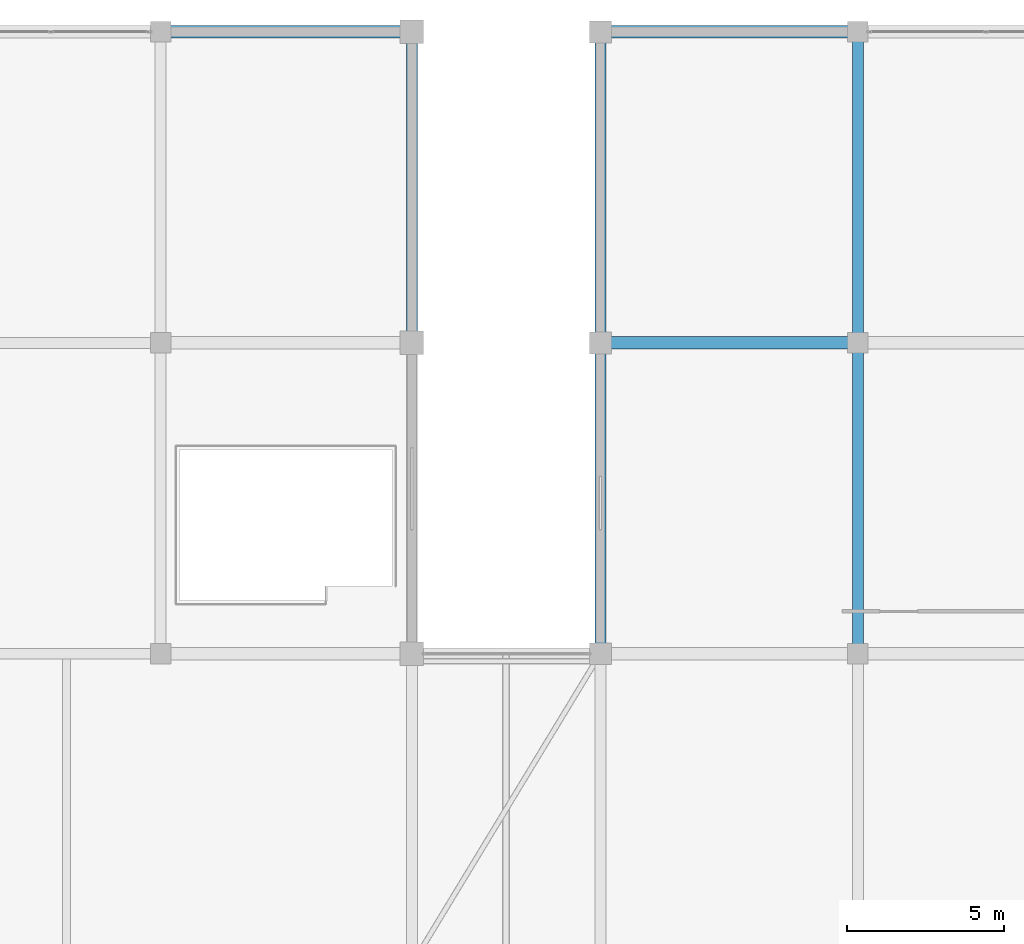
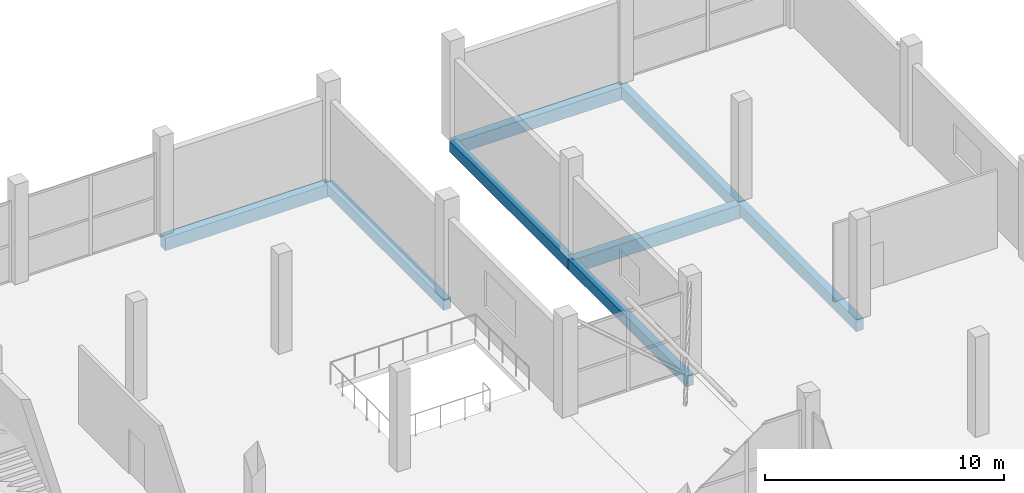
# One storey, part 44 of 67: 8 beams.
"""IFC4 building model written with IfcOpenShell, lengths in metres."""

import ifcopenshell
import ifcopenshell.guid

model = None  # the IFC model being written
_history = None  # IfcOwnerHistory: only IFC2X3 demands one
_inside = {}  # id of a spatial element -> (the spatial element, [elements in it])
_under = {}  # id of a project, library or spatial element -> (it, [spatial elements below it])
_declared = {}  # id of a project -> (the project, [libraries it declares])
_typed = {}  # id of a type object -> (the type object, [elements of that type])
_made_of = {}  # id of a material, layer set ... -> (it, [elements and type objects made of it])


def new_model(schema):
    """Start an empty IFC model of exactly this schema.

    Asked for "IFC4X3", IfcOpenShell would pick the latest addendum, in which some entities
    have other attributes; the version numbers below select the first issue.
    IFC2X3 requires an IfcOwnerHistory on every rooted entity: one is made here for all.
    """
    global model, _history
    if schema == "IFC4X3":
        model = ifcopenshell.file(schema_version=(4, 3, 0, 0))
    else:
        model = ifcopenshell.file(schema=schema)
    _inside.clear()
    _under.clear()
    _declared.clear()
    _typed.clear()
    _made_of.clear()
    _history = None
    if model.schema == "IFC2X3":
        org = make("IfcOrganization", Name="unknown")
        user = make(
            "IfcPersonAndOrganization",
            ThePerson=make("IfcPerson", FamilyName="unknown"),
            TheOrganization=org,
        )
        app = make(
            "IfcApplication",
            ApplicationDeveloper=org,
            Version="unknown",
            ApplicationFullName="unknown",
            ApplicationIdentifier="unknown",
        )
        _history = make(
            "IfcOwnerHistory",
            OwningUser=user,
            OwningApplication=app,
            ChangeAction="ADDED",
            CreationDate=0,
        )
    return model


def make(cls, **values):
    """One entity of the class cls with the attributes given. An attribute that is None is left unset."""
    return model.create_entity(
        cls, **{name: value for name, value in values.items() if value is not None}
    )


def rooted(cls, **values):
    """An entity with a GlobalId (a new one), such as an element, a storey or a relation."""
    return make(cls, GlobalId=ifcopenshell.guid.new(), OwnerHistory=_history, **values)


def si_unit(unit_type, name, prefix=None):
    """IfcSIUnit, for example si_unit("LENGTHUNIT", "METRE", prefix="MILLI")."""
    return make("IfcSIUnit", UnitType=unit_type, Prefix=prefix, Name=name)


def assignment(units):
    """IfcUnitAssignment: the units of a project."""
    return None if units is None else make("IfcUnitAssignment", Units=units)


def point(xyz):
    """IfcCartesianPoint."""
    return None if xyz is None else make("IfcCartesianPoint", Coordinates=xyz)


def direction(xyz):
    """IfcDirection."""
    return None if xyz is None else make("IfcDirection", DirectionRatios=xyz)


def frame(location, z_axis=None, x_axis=None):
    """IfcAxis2Placement3D, a coordinate frame: its origin and axes. An axis left out is left unset."""
    return make(
        "IfcAxis2Placement3D",
        Location=point(location),
        Axis=direction(z_axis),
        RefDirection=direction(x_axis),
    )


def frame_2d(location, x_axis=None):
    """IfcAxis2Placement2D, a coordinate frame in the plane: its origin and x axis."""
    return make(
        "IfcAxis2Placement2D", Location=point(location), RefDirection=direction(x_axis)
    )


def origin():
    """The frame at (0, 0, 0) with its axes left unset."""
    return frame((0.0, 0.0, 0.0))


def origin_2d():
    """The frame at (0, 0) in the plane with its x axis left unset."""
    return frame_2d((0.0, 0.0))


def place(relative_to, where):
    """IfcLocalPlacement: puts the frame where relative to a parent placement (None: the world)."""
    return make(
        "IfcLocalPlacement", PlacementRelTo=relative_to, RelativePlacement=where
    )


def context(
    kind, dimensions, precision=None, world=None, true_north=None, identifier=None
):
    """IfcGeometricRepresentationContext, for example the 3D "Model" context."""
    return make(
        "IfcGeometricRepresentationContext",
        ContextIdentifier=identifier,
        ContextType=kind,
        CoordinateSpaceDimension=dimensions,
        Precision=precision,
        WorldCoordinateSystem=world,
        TrueNorth=true_north,
    )


def subcontext(parent, identifier, kind, view, scale=None):
    """IfcGeometricRepresentationSubContext, for example "Body" below "Model"."""
    return make(
        "IfcGeometricRepresentationSubContext",
        ContextIdentifier=identifier,
        ContextType=kind,
        ParentContext=parent,
        TargetScale=scale,
        TargetView=view,
    )


def project(units=None, contexts=None):
    """IfcProject with its units and contexts."""
    return rooted(
        "IfcProject",
        Name="project",
        RepresentationContexts=contexts,
        UnitsInContext=assignment(units),
    )


def spatial(cls, under=None, at=None, **own):
    """A site, building, storey or space (cls), placed at a placement, below another one or the project."""
    s = rooted(cls, ObjectPlacement=at, **own)
    if under is not None:
        _under.setdefault(under.id(), (under, []))[1].append(s)
    return s


def profile(cls, at=None, kind="AREA", **sizes):
    """A parametric profile (cls). Its sizes go by their IFC names, for example OverallWidth=200.0."""
    return make(cls, ProfileType=kind, Position=at, **sizes)


def rectangle(**sizes):
    """IfcRectangleProfileDef."""
    return profile("IfcRectangleProfileDef", **sizes)


def extrude(swept, where, along, depth):
    """IfcExtrudedAreaSolid: the profile swept, set in the frame where, extruded along a direction by depth."""
    return make(
        "IfcExtrudedAreaSolid",
        SweptArea=swept,
        Position=where,
        ExtrudedDirection=direction(along),
        Depth=depth,
    )


def shape(context_of_items, identifier, shape_type, items):
    """IfcShapeRepresentation: the items that make up one representation, for example the "Body"."""
    return make(
        "IfcShapeRepresentation",
        ContextOfItems=context_of_items,
        RepresentationIdentifier=identifier,
        RepresentationType=shape_type,
        Items=items,
    )


def material(Name=None, Category=None):
    """IfcMaterial."""
    return make("IfcMaterial", Name=Name, Category=Category)


def material_profile(
    of_material, cross_section, Name=None, Category=None, Priority=None
):
    """IfcMaterialProfile: a cross section and its material."""
    return make(
        "IfcMaterialProfile",
        Name=Name,
        Material=of_material,
        Profile=cross_section,
        Priority=Priority,
        Category=Category,
    )


def profile_set(profiles, Name=None, composite=None):
    """IfcMaterialProfileSet."""
    return make(
        "IfcMaterialProfileSet",
        Name=Name,
        MaterialProfiles=profiles,
        CompositeProfile=composite,
    )


def made_of(thing, what):
    """Note that an element or type object is made of a material, layer set ...; save() writes the relation."""
    if what is not None:
        _made_of.setdefault(what.id(), (what, []))[1].append(thing)
    return thing


def type_object(cls, material=None, **own):
    """A type object (cls), such as IfcWallType, which elements share."""
    return made_of(rooted(cls, **own), material)


def element(
    cls,
    number,
    at=None,
    inside=None,
    cuts=None,
    type_object=None,
    material=None,
    context=None,
    identifier="Body",
    shape_type=None,
    held_by="IfcProductDefinitionShape",
    body=None,
    shapes=None,
    **own,
):
    """One element of the class cls, such as IfcWall. Its Tag is "e" and its number.

    at: its placement. inside: the storey or other place that contains it. cuts: it is an
    opening in that element (IfcRelVoidsElement). A single representation is given by context,
    identifier, shape_type and body (its items); several are given by shapes. held_by: the class
    of the entity that holds the representations. save() writes the other relations.
    """
    e = rooted(cls, Tag="e%d" % number, ObjectPlacement=at, **own)
    if body is not None:
        shapes = [shape(context, identifier, shape_type, body)]
    if shapes is not None:
        e.Representation = make(held_by, Representations=shapes)
    if inside is not None:
        _inside.setdefault(inside.id(), (inside, []))[1].append(e)
    if cuts is not None:
        rooted(
            "IfcRelVoidsElement", RelatingBuildingElement=cuts, RelatedOpeningElement=e
        )
    if type_object is not None:
        _typed.setdefault(type_object.id(), (type_object, []))[1].append(e)
    return made_of(e, material)


def aggregate(whole, parts):
    """IfcRelAggregates: a whole, such as a stair, and the parts it consists of."""
    return rooted("IfcRelAggregates", RelatingObject=whole, RelatedObjects=parts)


def save(model, path):
    """Write the relations noted so far, then the file.

    IfcRelAggregates (storeys below a building ...), IfcRelContainedInSpatialStructure (elements
    in a storey), IfcRelDefinesByType, IfcRelAssociatesMaterial and IfcRelDeclares: one each for
    every whole, place, type object, material and project.
    """
    for whole, parts in _under.values():
        aggregate(whole, parts)
    for where, things in _inside.values():
        rooted(
            "IfcRelContainedInSpatialStructure",
            RelatedElements=things,
            RelatingStructure=where,
        )
    for kind, things in _typed.values():
        rooted("IfcRelDefinesByType", RelatedObjects=things, RelatingType=kind)
    for what, things in _made_of.values():
        rooted("IfcRelAssociatesMaterial", RelatedObjects=things, RelatingMaterial=what)
    for by, libraries in _declared.values():
        rooted("IfcRelDeclares", RelatingContext=by, RelatedDefinitions=libraries)
    model.write(path)


model = new_model("IFC4")

# Units and contexts
model_context = context("Model", 3, precision=1e-05, world=origin(), true_north=direction((0.0, 1.0)))
body_context = subcontext(model_context, "Body", "Model", "MODEL_VIEW")
ifc_project = project(units=[si_unit("LENGTHUNIT", "METRE"), si_unit("AREAUNIT", "SQUARE_METRE"), si_unit("VOLUMEUNIT", "CUBIC_METRE"), si_unit("PLANEANGLEUNIT", "RADIAN"), si_unit("MASSUNIT", "GRAM", prefix="KILO")], contexts=[model_context])

# Site, building, storey
site_placement = place(None, origin())
site = spatial("IfcSite", under=ifc_project, at=site_placement, CompositionType="ELEMENT")
building_placement = place(site_placement, origin())
building = spatial("IfcBuilding", under=site, at=building_placement, Name="Sillaruma Civic Art Gallery", CompositionType="ELEMENT")
storey_placement = place(building_placement, frame((0.0, 0.0, 46.919921875)))
storey = spatial("IfcBuildingStorey", under=building, at=storey_placement, Name="L09", CompositionType="ELEMENT", Elevation=46.919921875)

# Beams
ifc_material = material(Name="Concrete H35 (35 MPa)", Category="concrete")
ifc_material_profile_1 = material_profile(ifc_material, rectangle(XDim=0.35009765625, YDim=0.60009765625, at=origin_2d()), Name="RCB350x600")
ifc_profile_set_1 = profile_set([ifc_material_profile_1], Name="Concrete H35 (35 MPa)")
beam_type_1 = type_object("IfcBeamType", Name="BM-BEAM-RCB350x600", PredefinedType="BEAM", material=ifc_profile_set_1)
beam_1_placement = place(storey_placement, frame((106.199951171875, 79.199951171875, -0.5498046875), z_axis=(0.0, 1.0, 0.0), x_axis=(-1.0, 0.0, 0.0)))
element("IfcBeam", 1, at=beam_1_placement, inside=storey, type_object=beam_type_1, Name="Beam BM-06 (L08:M:9-10)", PredefinedType="BEAM", context=body_context, shape_type="SweptSolid", body=[
    extrude(rectangle(XDim=0.35009765625, YDim=0.60009765625, at=origin_2d()), origin(), (0.0, 0.0, 1.0), 9.900146484375),
])
beam_2_placement = place(storey_placement, frame((106.199951171875, 89.10009765625, -0.5498046875), z_axis=(0.0, 1.0, 0.0), x_axis=(-1.0, 0.0, 0.0)))
element("IfcBeam", 2, at=beam_2_placement, inside=storey, type_object=beam_type_1, Name="Beam BM-06 (L08:M:10-11)", PredefinedType="BEAM", context=body_context, shape_type="SweptSolid", body=[
    extrude(rectangle(XDim=0.35009765625, YDim=0.60009765625, at=origin_2d()), origin(), (0.0, 0.0, 1.0), 9.89990234375),
])
ifc_material_profile_2 = material_profile(ifc_material, rectangle(XDim=0.39990234375, YDim=0.699951171875, at=origin_2d()), Name="RCB400x700")
ifc_profile_set_2 = profile_set([ifc_material_profile_2], Name="Concrete H35 (35 MPa)")
beam_type_2 = type_object("IfcBeamType", Name="BM-BEAM-RCB400x700", PredefinedType="BEAM", material=ifc_profile_set_2)
beam_3_placement = place(storey_placement, frame((98.0, 89.10009765625, -0.599853515625), z_axis=(1.0, 0.0, 0.0), x_axis=(0.0, 1.0, 0.0)))
element("IfcBeam", 3, at=beam_3_placement, inside=storey, type_object=beam_type_2, Name="Beam BM-04 (L08:10:L-M)", PredefinedType="BEAM", context=body_context, shape_type="SweptSolid", body=[
    extrude(rectangle(XDim=0.39990234375, YDim=0.699951171875, at=origin_2d()), origin(), (0.0, 0.0, 1.0), 8.199951171875),
])
ifc_material_profile_3 = material_profile(ifc_material, rectangle(XDim=0.35009765625, YDim=0.550048828125, at=origin_2d()), Name="RCB350x550")
ifc_profile_set_3 = profile_set([ifc_material_profile_3], Name="Concrete H35 (35 MPa)")
beam_type_3 = type_object("IfcBeamType", Name="BM-SPANDREL-RCB350x550", PredefinedType="SPANDREL", material=ifc_profile_set_3)
beam_4_placement = place(storey_placement, frame((92.0, 89.10009765625, -0.52490234375), z_axis=(0.0, 1.0, 0.0), x_axis=(-1.0, 0.0, 0.0)))
element("IfcBeam", 4, at=beam_4_placement, inside=storey, type_object=beam_type_3, Name="Beam BS-04 (L08:K:10-11)", PredefinedType="SPANDREL", context=body_context, shape_type="SweptSolid", body=[
    extrude(rectangle(XDim=0.35009765625, YDim=0.550048828125, at=origin_2d()), origin(), (0.0, 0.0, 1.0), 9.89990234375),
])
beam_5_placement = place(storey_placement, frame((98.0, 79.199951171875, -0.52490234375), z_axis=(0.0, 1.0, 0.0), x_axis=(-1.0, 0.0, 0.0)))
element("IfcBeam", 5, at=beam_5_placement, inside=storey, type_object=beam_type_3, Name="Beam BS-04 (L08:L:9-10)", PredefinedType="SPANDREL", context=body_context, shape_type="SweptSolid", body=[
    extrude(rectangle(XDim=0.35009765625, YDim=0.550048828125, at=origin_2d()), origin(), (0.0, 0.0, 1.0), 9.900146484375),
])
beam_6_placement = place(storey_placement, frame((98.0, 89.10009765625, -0.52490234375), z_axis=(0.0, 1.0, 0.0), x_axis=(-1.0, 0.0, 0.0)))
element("IfcBeam", 6, at=beam_6_placement, inside=storey, type_object=beam_type_3, Name="Beam BS-04 (L08:L:10-11)", PredefinedType="SPANDREL", context=body_context, shape_type="SweptSolid", body=[
    extrude(rectangle(XDim=0.35009765625, YDim=0.550048828125, at=origin_2d()), origin(), (0.0, 0.0, 1.0), 9.89990234375),
])
ifc_material_profile_4 = material_profile(ifc_material, rectangle(XDim=0.39990234375, YDim=0.64990234375, at=origin_2d()), Name="RCB400x650")
ifc_profile_set_4 = profile_set([ifc_material_profile_4], Name="Concrete H35 (35 MPa)")
beam_type_4 = type_object("IfcBeamType", Name="BM-SPANDREL-RCB400x650", PredefinedType="SPANDREL", material=ifc_profile_set_4)
beam_7_placement = place(storey_placement, frame((84.0, 99.0, -0.574951171875), z_axis=(1.0, 0.0, 0.0), x_axis=(0.0, 1.0, 0.0)))
element("IfcBeam", 7, at=beam_7_placement, inside=storey, type_object=beam_type_4, Name="Beam BS-02 (L08:11:J-K)", PredefinedType="SPANDREL", context=body_context, shape_type="SweptSolid", body=[
    extrude(rectangle(XDim=0.39990234375, YDim=0.64990234375, at=origin_2d()), origin(), (0.0, 0.0, 1.0), 8.0),
])
beam_8_placement = place(storey_placement, frame((98.0, 99.0, -0.574951171875), z_axis=(1.0, 0.0, 0.0), x_axis=(0.0, 1.0, 0.0)))
element("IfcBeam", 8, at=beam_8_placement, inside=storey, type_object=beam_type_4, Name="Beam BS-02 (L08:11:L-M)", PredefinedType="SPANDREL", context=body_context, shape_type="SweptSolid", body=[
    extrude(rectangle(XDim=0.39990234375, YDim=0.64990234375, at=origin_2d()), origin(), (0.0, 0.0, 1.0), 8.199951171875),
])

save(model, "model.ifc")
